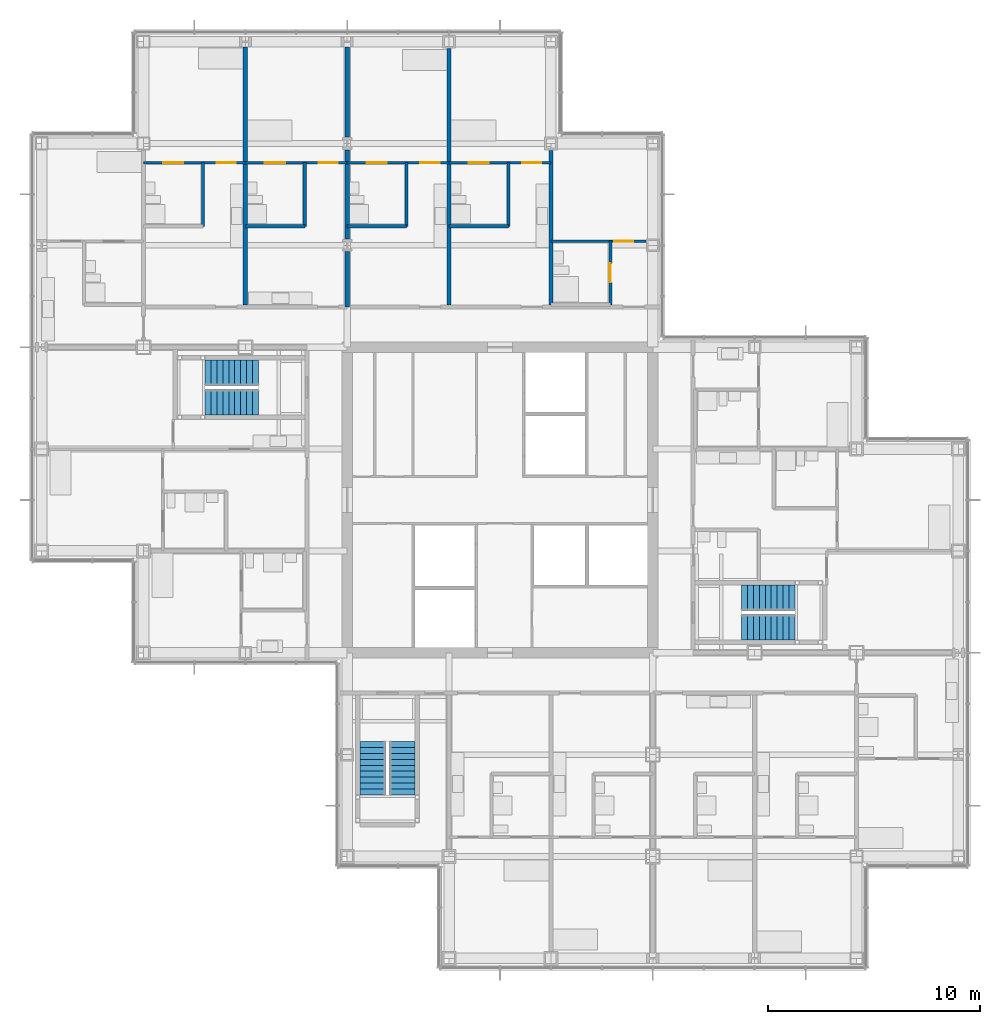
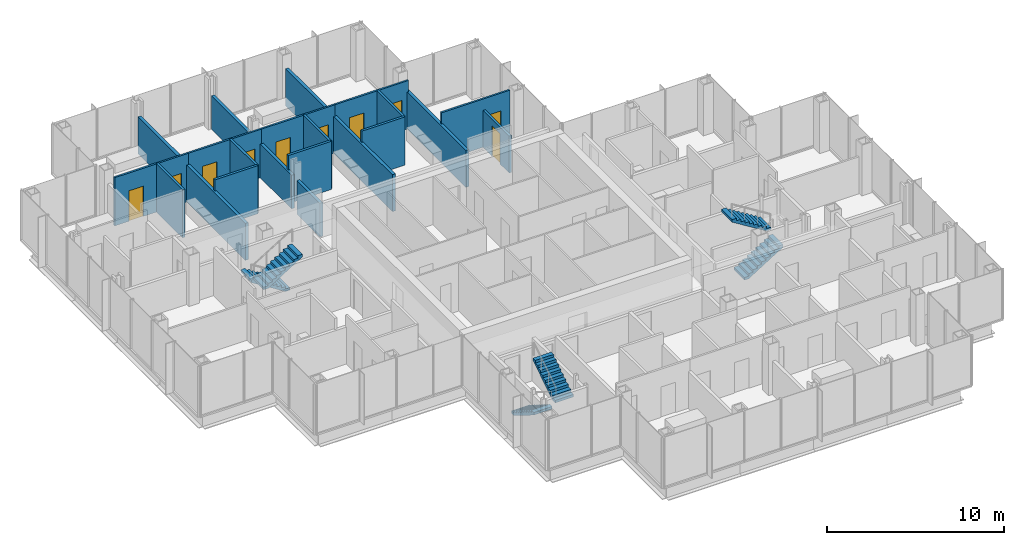
# One storey, part 17 of 20: 19 walls, 10 doors, 6 stair flights, 10 openings, 3 elements without a shape of their own.
"""IFC4 building model written with IfcOpenShell, lengths in metres."""

from ifc_helpers import new_model, si_unit, direction, frame, frame_2d, origin, place, context, subcontext, project, spatial, polyline, rectangle, outline, extrude, material, layer, layer_set, type_object, element, fill, aggregate, save


model = new_model("IFC4")

# Units and contexts
model_context = context("Model", 3, precision=1e-05, world=origin(), true_north=direction((0.0, 1.0)))
body_context = subcontext(model_context, "Body", "Model", "MODEL_VIEW")
ifc_project = project(units=[si_unit("LENGTHUNIT", "METRE"), si_unit("AREAUNIT", "SQUARE_METRE"), si_unit("VOLUMEUNIT", "CUBIC_METRE"), si_unit("PLANEANGLEUNIT", "RADIAN"), si_unit("MASSUNIT", "GRAM", prefix="KILO")], contexts=[model_context])

# Site, building, storey
site_placement = place(None, origin())
site = spatial("IfcSite", under=ifc_project, at=site_placement, CompositionType="ELEMENT")
building_placement = place(site_placement, origin())
building = spatial("IfcBuilding", under=site, at=building_placement, Name="Kvirike Care Tower", CompositionType="ELEMENT")
storey_placement = place(building_placement, frame((0.0, 0.0, 91.0)))
storey = spatial("IfcBuildingStorey", under=building, at=storey_placement, Name="L24", CompositionType="ELEMENT", Elevation=91.0)

# Walls
ifc_material_1 = material(Name="Moisture-resistant board partition", Category="gypsum")
ifc_layer_1 = layer(ifc_material_1, 0.14990234375)
ifc_layer_set_1 = layer_set([ifc_layer_1], Name="BATHROOM WALL 150")
wall_type_1 = type_object("IfcWallType", Name="BATHROOM WALL 150", PredefinedType="PARTITIONING", material=ifc_layer_set_1)
wall_1_placement = place(storey_placement, frame((12.39990234375, 51.89990234375, 0.0), z_axis=(0.0, 0.0, 1.0), x_axis=(0.0, -1.0, 0.0)))
element("IfcWall", 1, at=wall_1_placement, inside=storey, type_object=wall_type_1, Name="Bathroom Wall 150 L24", PredefinedType="PARTITIONING", context=body_context, shape_type="SweptSolid", body=[
    extrude(rectangle(XDim=3.0, YDim=0.14990234375, at=frame_2d((1.5, 0.0))), origin(), (0.0, 0.0, 1.0), 3.330078125),
])
wall_2_placement = place(storey_placement, frame((12.39990234375, 48.89990234375, 0.0), z_axis=(0.0, 0.0, 1.0), x_axis=(-1.0, 0.0, 0.0)))
element("IfcWall", 2, at=wall_2_placement, inside=storey, type_object=wall_type_1, Name="Bathroom Wall 150 L24", PredefinedType="PARTITIONING", context=body_context, shape_type="SweptSolid", body=[
    extrude(rectangle(XDim=2.7998046875, YDim=0.14990234375, at=frame_2d((1.39990234375, 0.0))), origin(), (0.0, 0.0, 1.0), 3.330078125),
])
wall_3_placement = place(storey_placement, frame((7.60009765625, 51.89990234375, 0.0), z_axis=(0.0, 0.0, 1.0), x_axis=(0.0, -1.0, 0.0)))
element("IfcWall", 3, at=wall_3_placement, inside=storey, type_object=wall_type_1, Name="Bathroom Wall 150 L24", PredefinedType="PARTITIONING", context=body_context, shape_type="SweptSolid", body=[
    extrude(rectangle(XDim=3.0, YDim=0.14990234375, at=frame_2d((1.5, 0.0))), origin(), (0.0, 0.0, 1.0), 3.330078125),
])

# Wall, opening, door
wall_4_placement = place(storey_placement, frame((26.800048828125, 48.199951171875, 0.0), z_axis=(0.0, 0.0, 1.0), x_axis=(0.0, -1.0, 0.0)))
wall_4 = element("IfcWall", 4, at=wall_4_placement, inside=storey, type_object=wall_type_1, Name="Bathroom Wall 150 L24", PredefinedType="PARTITIONING", context=body_context, shape_type="SweptSolid", body=[
    extrude(rectangle(XDim=3.0, YDim=0.14990234375, at=frame_2d((1.5, 0.0))), origin(), (0.0, 0.0, 1.0), 2.550048828125),
])
opening_1_placement = place(wall_4_placement, frame((1.050048828125, 0.0, 0.0)))
opening_1 = element("IfcOpeningElement", 5, at=opening_1_placement, cuts=wall_4, Name="Opening 24-027", PredefinedType="OPENING", context=body_context, shape_type="SweptSolid", body=[
    extrude(rectangle(XDim=0.89990234375, YDim=2.10009765625, at=frame_2d((0.449951171875, 1.050048828125))), frame((0.0, 0.08544921875, 0.0), z_axis=(0.0, -1.0, 0.0), x_axis=(1.0, 0.0, 0.0)), (0.0, 0.0, 1.0), 0.1708984375),
])
ifc_material_2 = material(Name="Timber door set", Category="wood")
door_type_1 = type_object("IfcDoorType", Name="BATHROOM DOOR 900", OperationType="SINGLE_SWING_RIGHT", PredefinedType="DOOR", material=ifc_material_2)
door_1_placement = place(opening_1_placement, origin())
door_1 = element("IfcDoor", 6, at=door_1_placement, inside=storey, type_object=door_type_1, Name="Assisted bathroom door", OperationType="SINGLE_SWING_RIGHT", OverallHeight=2.10009765625, OverallWidth=0.89990234375, PredefinedType="DOOR", context=body_context, shape_type="SweptSolid", body=[
    extrude(rectangle(XDim=0.89990234375, YDim=2.10009765625, at=frame_2d((0.449951171875, 1.050048828125))), frame((0.0, 0.02197265625, 0.0), z_axis=(0.0, -1.0, 0.0), x_axis=(1.0, 0.0, 0.0)), (0.0, 0.0, 1.0), 0.0439453125),
])
fill(opening_1, door_1)

# Walls
wall_5_placement = place(storey_placement, frame((22.0, 51.89990234375, 0.0), z_axis=(0.0, 0.0, 1.0), x_axis=(0.0, -1.0, 0.0)))
element("IfcWall", 7, at=wall_5_placement, inside=storey, type_object=wall_type_1, Name="Bathroom Wall 150 L24", PredefinedType="PARTITIONING", context=body_context, shape_type="SweptSolid", body=[
    extrude(rectangle(XDim=3.0, YDim=0.14990234375, at=frame_2d((1.5, 0.0))), origin(), (0.0, 0.0, 1.0), 3.330078125),
])
wall_6_placement = place(storey_placement, frame((22.0, 48.89990234375, 0.0), z_axis=(0.0, 0.0, 1.0), x_axis=(-1.0, 0.0, 0.0)))
element("IfcWall", 8, at=wall_6_placement, inside=storey, type_object=wall_type_1, Name="Bathroom Wall 150 L24", PredefinedType="PARTITIONING", context=body_context, shape_type="SweptSolid", body=[
    extrude(rectangle(XDim=2.800048828125, YDim=0.14990234375, at=frame_2d((1.39990234375, 0.0))), origin(), (0.0, 0.0, 1.0), 3.330078125),
])
wall_7_placement = place(storey_placement, frame((17.199951171875, 51.89990234375, 0.0), z_axis=(0.0, 0.0, 1.0), x_axis=(0.0, -1.0, 0.0)))
element("IfcWall", 9, at=wall_7_placement, inside=storey, type_object=wall_type_1, Name="Bathroom Wall 150 L24", PredefinedType="PARTITIONING", context=body_context, shape_type="SweptSolid", body=[
    extrude(rectangle(XDim=3.0, YDim=0.14990234375, at=frame_2d((1.5, 0.0))), origin(), (0.0, 0.0, 1.0), 3.330078125),
])
wall_8_placement = place(storey_placement, frame((17.199951171875, 48.89990234375, 0.0), z_axis=(0.0, 0.0, 1.0), x_axis=(-1.0, 0.0, 0.0)))
element("IfcWall", 10, at=wall_8_placement, inside=storey, type_object=wall_type_1, Name="Bathroom Wall 150 L24", PredefinedType="PARTITIONING", context=body_context, shape_type="SweptSolid", body=[
    extrude(rectangle(XDim=2.800048828125, YDim=0.14990234375, at=frame_2d((1.39990234375, 0.0))), origin(), (0.0, 0.0, 1.0), 3.330078125),
])

# Wall, openings, doors
ifc_material_3 = material(Name="Plasterboard partition", Category="gypsum")
ifc_layer_2 = layer(ifc_material_3, 0.1201171875)
ifc_layer_set_2 = layer_set([ifc_layer_2], Name="PARTITION 120")
wall_type_2 = type_object("IfcWallType", Name="PARTITION 120", PredefinedType="PARTITIONING", material=ifc_layer_set_2)
wall_9_placement = place(storey_placement, frame((14.39990234375, 51.89990234375, 0.0), z_axis=(0.0, 0.0, 1.0), x_axis=(-1.0, 0.0, 0.0)))
wall_9 = element("IfcWall", 11, at=wall_9_placement, inside=storey, type_object=wall_type_2, Name="Partition 120 L24", PredefinedType="PARTITIONING", context=body_context, shape_type="SweptSolid", body=[
    extrude(rectangle(XDim=4.7998046875, YDim=0.1201171875, at=frame_2d((2.39990234375, 0.0))), origin(), (0.0, 0.0, 1.0), 3.330078125),
])
opening_2_placement = place(wall_9_placement, frame((0.449951171875, 0.0, 0.0)))
opening_2 = element("IfcOpeningElement", 12, at=opening_2_placement, cuts=wall_9, Name="Opening 24-010", PredefinedType="OPENING", context=body_context, shape_type="SweptSolid", body=[
    extrude(rectangle(XDim=0.89990234375, YDim=2.10009765625, at=frame_2d((0.449951171875, 1.050048828125))), frame((0.0, 0.070556640625, 0.0), z_axis=(0.0, -1.0, 0.0), x_axis=(1.0, 0.0, 0.0)), (0.0, 0.0, 1.0), 0.14111328125),
])
opening_3_placement = place(wall_9_placement, frame((2.925048828125, 0.0, 0.0)))
opening_3 = element("IfcOpeningElement", 13, at=opening_3_placement, cuts=wall_9, Name="Opening 24-011", PredefinedType="OPENING", context=body_context, shape_type="SweptSolid", body=[
    extrude(rectangle(XDim=0.949951171875, YDim=2.10009765625, at=frame_2d((0.47509765625, 1.050048828125))), frame((0.0, 0.070556640625, 0.0), z_axis=(0.0, -1.0, 0.0), x_axis=(1.0, 0.0, 0.0)), (0.0, 0.0, 1.0), 0.14111328125),
])
ifc_material_4 = material(Name="Timber door set", Category="wood")
door_type_2 = type_object("IfcDoorType", Name="EN-SUITE SLIDING DOOR 950", OperationType="SLIDING_TO_LEFT", PredefinedType="DOOR", material=ifc_material_4)
door_2_placement = place(opening_3_placement, origin())
door_2 = element("IfcDoor", 14, at=door_2_placement, inside=storey, type_object=door_type_2, Name="En-suite door", OperationType="SLIDING_TO_RIGHT", OverallHeight=2.10009765625, OverallWidth=0.949951171875, PredefinedType="DOOR", context=body_context, shape_type="SweptSolid", body=[
    extrude(rectangle(XDim=0.949951171875, YDim=2.10009765625, at=frame_2d((0.47509765625, 1.050048828125))), frame((0.0, 0.02197265625, 0.0), z_axis=(0.0, -1.0, 0.0), x_axis=(1.0, 0.0, 0.0)), (0.0, 0.0, 1.0), 0.0439453125),
])
fill(opening_3, door_2)
ifc_material_5 = material(Name="Timber door set", Category="wood")
door_type_3 = type_object("IfcDoorType", Name="INTERNAL DOOR 900", OperationType="SINGLE_SWING_LEFT", PredefinedType="DOOR", material=ifc_material_5)
door_3_placement = place(opening_2_placement, origin())
door_3 = element("IfcDoor", 15, at=door_3_placement, inside=storey, type_object=door_type_3, Name="Assisted living suite door", OperationType="SINGLE_SWING_RIGHT", OverallHeight=2.10009765625, OverallWidth=0.89990234375, PredefinedType="DOOR", context=body_context, shape_type="SweptSolid", body=[
    extrude(rectangle(XDim=0.89990234375, YDim=2.10009765625, at=frame_2d((0.449951171875, 1.050048828125))), frame((0.0, 0.02197265625, 0.0), z_axis=(0.0, -1.0, 0.0), x_axis=(1.0, 0.0, 0.0)), (0.0, 0.0, 1.0), 0.0439453125),
])
fill(opening_2, door_3)

wall_10_placement = place(storey_placement, frame((9.60009765625, 51.89990234375, 0.0), z_axis=(0.0, 0.0, 1.0), x_axis=(-1.0, 0.0, 0.0)))
wall_10 = element("IfcWall", 16, at=wall_10_placement, inside=storey, type_object=wall_type_2, Name="Partition 120 L24", PredefinedType="PARTITIONING", context=body_context, shape_type="SweptSolid", body=[
    extrude(rectangle(XDim=4.800048828125, YDim=0.1201171875, at=frame_2d((2.39990234375, 0.0))), origin(), (0.0, 0.0, 1.0), 3.330078125),
])
opening_4_placement = place(wall_10_placement, frame((0.449951171875, 0.0, 0.0)))
opening_4 = element("IfcOpeningElement", 17, at=opening_4_placement, cuts=wall_10, Name="Opening 24-012", PredefinedType="OPENING", context=body_context, shape_type="SweptSolid", body=[
    extrude(rectangle(XDim=0.89990234375, YDim=2.10009765625, at=frame_2d((0.449951171875, 1.050048828125))), frame((0.0, 0.070556640625, 0.0), z_axis=(0.0, -1.0, 0.0), x_axis=(1.0, 0.0, 0.0)), (0.0, 0.0, 1.0), 0.14111328125),
])
opening_5_placement = place(wall_10_placement, frame((2.925048828125, 0.0, 0.0)))
opening_5 = element("IfcOpeningElement", 18, at=opening_5_placement, cuts=wall_10, Name="Opening 24-013", PredefinedType="OPENING", context=body_context, shape_type="SweptSolid", body=[
    extrude(rectangle(XDim=0.949951171875, YDim=2.10009765625, at=frame_2d((0.47509765625, 1.050048828125))), frame((0.0, 0.070556640625, 0.0), z_axis=(0.0, -1.0, 0.0), x_axis=(1.0, 0.0, 0.0)), (0.0, 0.0, 1.0), 0.14111328125),
])
door_4_placement = place(opening_5_placement, origin())
door_4 = element("IfcDoor", 19, at=door_4_placement, inside=storey, type_object=door_type_2, Name="En-suite door", OperationType="SLIDING_TO_LEFT", OverallHeight=2.10009765625, OverallWidth=0.949951171875, PredefinedType="DOOR", context=body_context, shape_type="SweptSolid", body=[
    extrude(rectangle(XDim=0.949951171875, YDim=2.10009765625, at=frame_2d((0.47509765625, 1.050048828125))), frame((0.0, 0.02197265625, 0.0), z_axis=(0.0, -1.0, 0.0), x_axis=(1.0, 0.0, 0.0)), (0.0, 0.0, 1.0), 0.0439453125),
])
fill(opening_5, door_4)
door_5_placement = place(opening_4_placement, origin())
door_5 = element("IfcDoor", 20, at=door_5_placement, inside=storey, type_object=door_type_3, Name="Assisted living suite door", OperationType="SINGLE_SWING_RIGHT", OverallHeight=2.10009765625, OverallWidth=0.89990234375, PredefinedType="DOOR", context=body_context, shape_type="SweptSolid", body=[
    extrude(rectangle(XDim=0.89990234375, YDim=2.10009765625, at=frame_2d((0.449951171875, 1.050048828125))), frame((0.0, 0.02197265625, 0.0), z_axis=(0.0, -1.0, 0.0), x_axis=(1.0, 0.0, 0.0)), (0.0, 0.0, 1.0), 0.0439453125),
])
fill(opening_4, door_5)

# Wall, opening, door
wall_11_placement = place(storey_placement, frame((28.47998046875, 48.199951171875, 0.0), z_axis=(0.0, 0.0, 1.0), x_axis=(-1.0, 0.0, 0.0)))
wall_11 = element("IfcWall", 21, at=wall_11_placement, inside=storey, type_object=wall_type_2, Name="Partition 120 L24", PredefinedType="PARTITIONING", context=body_context, shape_type="SweptSolid", body=[
    extrude(rectangle(XDim=4.47998046875, YDim=0.1201171875, at=frame_2d((2.239990234375, 0.0))), origin(), (0.0, 0.0, 1.0), 3.330078125),
])
opening_6_placement = place(wall_11_placement, frame((0.60498046875, 0.0, 0.0)))
opening_6 = element("IfcOpeningElement", 22, at=opening_6_placement, cuts=wall_11, Name="Opening 24-028", PredefinedType="OPENING", context=body_context, shape_type="SweptSolid", body=[
    extrude(rectangle(XDim=0.89990234375, YDim=2.10009765625, at=frame_2d((0.449951171875, 1.050048828125))), frame((0.0, 0.070556640625, 0.0), z_axis=(0.0, -1.0, 0.0), x_axis=(1.0, 0.0, 0.0)), (0.0, 0.0, 1.0), 0.14111328125),
])
door_6_placement = place(opening_6_placement, origin())
door_6 = element("IfcDoor", 23, at=door_6_placement, inside=storey, type_object=door_type_3, Name="Care lounge door", OperationType="SINGLE_SWING_LEFT", OverallHeight=2.10009765625, OverallWidth=0.89990234375, PredefinedType="DOOR", context=body_context, shape_type="SweptSolid", body=[
    extrude(rectangle(XDim=0.89990234375, YDim=2.10009765625, at=frame_2d((0.449951171875, 1.050048828125))), frame((0.0, 0.02197265625, 0.0), z_axis=(0.0, -1.0, 0.0), x_axis=(1.0, 0.0, 0.0)), (0.0, 0.0, 1.0), 0.0439453125),
])
fill(opening_6, door_6)

# Wall, openings, doors
wall_12_placement = place(storey_placement, frame((24.0, 51.89990234375, 0.0), z_axis=(0.0, 0.0, 1.0), x_axis=(-1.0, 0.0, 0.0)))
wall_12 = element("IfcWall", 24, at=wall_12_placement, inside=storey, type_object=wall_type_2, Name="Partition 120 L24", PredefinedType="PARTITIONING", context=body_context, shape_type="SweptSolid", body=[
    extrude(rectangle(XDim=4.800048828125, YDim=0.1201171875, at=frame_2d((2.39990234375, 0.0))), origin(), (0.0, 0.0, 1.0), 3.330078125),
])
opening_7_placement = place(wall_12_placement, frame((0.449951171875, 0.0, 0.0)))
opening_7 = element("IfcOpeningElement", 25, at=opening_7_placement, cuts=wall_12, Name="Opening 24-029", PredefinedType="OPENING", context=body_context, shape_type="SweptSolid", body=[
    extrude(rectangle(XDim=0.89990234375, YDim=2.10009765625, at=frame_2d((0.449951171875, 1.050048828125))), frame((0.0, 0.070556640625, 0.0), z_axis=(0.0, -1.0, 0.0), x_axis=(1.0, 0.0, 0.0)), (0.0, 0.0, 1.0), 0.14111328125),
])
opening_8_placement = place(wall_12_placement, frame((2.925048828125, 0.0, 0.0)))
opening_8 = element("IfcOpeningElement", 26, at=opening_8_placement, cuts=wall_12, Name="Opening 24-030", PredefinedType="OPENING", context=body_context, shape_type="SweptSolid", body=[
    extrude(rectangle(XDim=0.949951171875, YDim=2.10009765625, at=frame_2d((0.47509765625, 1.050048828125))), frame((0.0, 0.070556640625, 0.0), z_axis=(0.0, -1.0, 0.0), x_axis=(1.0, 0.0, 0.0)), (0.0, 0.0, 1.0), 0.14111328125),
])
door_7_placement = place(opening_8_placement, origin())
door_7 = element("IfcDoor", 27, at=door_7_placement, inside=storey, type_object=door_type_2, Name="En-suite door", OperationType="SLIDING_TO_RIGHT", OverallHeight=2.10009765625, OverallWidth=0.949951171875, PredefinedType="DOOR", context=body_context, shape_type="SweptSolid", body=[
    extrude(rectangle(XDim=0.949951171875, YDim=2.10009765625, at=frame_2d((0.47509765625, 1.050048828125))), frame((0.0, 0.02197265625, 0.0), z_axis=(0.0, -1.0, 0.0), x_axis=(1.0, 0.0, 0.0)), (0.0, 0.0, 1.0), 0.0439453125),
])
fill(opening_8, door_7)
door_8_placement = place(opening_7_placement, origin())
door_8 = element("IfcDoor", 28, at=door_8_placement, inside=storey, type_object=door_type_3, Name="Assisted living suite door", OperationType="SINGLE_SWING_RIGHT", OverallHeight=2.10009765625, OverallWidth=0.89990234375, PredefinedType="DOOR", context=body_context, shape_type="SweptSolid", body=[
    extrude(rectangle(XDim=0.89990234375, YDim=2.10009765625, at=frame_2d((0.449951171875, 1.050048828125))), frame((0.0, 0.02197265625, 0.0), z_axis=(0.0, -1.0, 0.0), x_axis=(1.0, 0.0, 0.0)), (0.0, 0.0, 1.0), 0.0439453125),
])
fill(opening_7, door_8)

wall_13_placement = place(storey_placement, frame((19.199951171875, 51.89990234375, 0.0), z_axis=(0.0, 0.0, 1.0), x_axis=(-1.0, 0.0, 0.0)))
wall_13 = element("IfcWall", 29, at=wall_13_placement, inside=storey, type_object=wall_type_2, Name="Partition 120 L24", PredefinedType="PARTITIONING", context=body_context, shape_type="SweptSolid", body=[
    extrude(rectangle(XDim=4.800048828125, YDim=0.1201171875, at=frame_2d((2.39990234375, 0.0))), origin(), (0.0, 0.0, 1.0), 3.330078125),
])
opening_9_placement = place(wall_13_placement, frame((0.449951171875, 0.0, 0.0)))
opening_9 = element("IfcOpeningElement", 30, at=opening_9_placement, cuts=wall_13, Name="Opening 24-031", PredefinedType="OPENING", context=body_context, shape_type="SweptSolid", body=[
    extrude(rectangle(XDim=0.89990234375, YDim=2.10009765625, at=frame_2d((0.449951171875, 1.050048828125))), frame((0.0, 0.070556640625, 0.0), z_axis=(0.0, -1.0, 0.0), x_axis=(1.0, 0.0, 0.0)), (0.0, 0.0, 1.0), 0.14111328125),
])
opening_10_placement = place(wall_13_placement, frame((2.925048828125, 0.0, 0.0)))
opening_10 = element("IfcOpeningElement", 31, at=opening_10_placement, cuts=wall_13, Name="Opening 24-032", PredefinedType="OPENING", context=body_context, shape_type="SweptSolid", body=[
    extrude(rectangle(XDim=0.949951171875, YDim=2.10009765625, at=frame_2d((0.47509765625, 1.050048828125))), frame((0.0, 0.070556640625, 0.0), z_axis=(0.0, -1.0, 0.0), x_axis=(1.0, 0.0, 0.0)), (0.0, 0.0, 1.0), 0.14111328125),
])
door_9_placement = place(opening_10_placement, origin())
door_9 = element("IfcDoor", 32, at=door_9_placement, inside=storey, type_object=door_type_2, Name="En-suite door", OperationType="SLIDING_TO_RIGHT", OverallHeight=2.10009765625, OverallWidth=0.949951171875, PredefinedType="DOOR", context=body_context, shape_type="SweptSolid", body=[
    extrude(rectangle(XDim=0.949951171875, YDim=2.10009765625, at=frame_2d((0.47509765625, 1.050048828125))), frame((0.0, 0.02197265625, 0.0), z_axis=(0.0, -1.0, 0.0), x_axis=(1.0, 0.0, 0.0)), (0.0, 0.0, 1.0), 0.0439453125),
])
fill(opening_10, door_9)
door_10_placement = place(opening_9_placement, origin())
door_10 = element("IfcDoor", 33, at=door_10_placement, inside=storey, type_object=door_type_3, Name="Assisted living suite door", OperationType="SINGLE_SWING_RIGHT", OverallHeight=2.10009765625, OverallWidth=0.89990234375, PredefinedType="DOOR", context=body_context, shape_type="SweptSolid", body=[
    extrude(rectangle(XDim=0.89990234375, YDim=2.10009765625, at=frame_2d((0.449951171875, 1.050048828125))), frame((0.0, 0.02197265625, 0.0), z_axis=(0.0, -1.0, 0.0), x_axis=(1.0, 0.0, 0.0)), (0.0, 0.0, 1.0), 0.0439453125),
])
fill(opening_9, door_10)

# Walls
ifc_material_6 = material(Name="Plasterboard party wall", Category="gypsum")
ifc_layer_3 = layer(ifc_material_6, 0.199951171875)
ifc_layer_set_3 = layer_set([ifc_layer_3], Name="PARTY WALL 200")
wall_type_3 = type_object("IfcWallType", Name="PARTY WALL 200", PredefinedType="PARTITIONING", material=ifc_layer_set_3)
wall_14_placement = place(storey_placement, frame((9.60009765625, 57.35302734375, 0.0), z_axis=(0.0, 0.0, 1.0), x_axis=(0.0, -1.0, 0.0)))
element("IfcWall", 34, at=wall_14_placement, inside=storey, type_object=wall_type_3, Name="Party Wall 200 L24", PredefinedType="PARTITIONING", context=body_context, shape_type="SweptSolid", body=[
    extrude(rectangle(XDim=12.153076171875, YDim=0.199951171875, at=frame_2d((6.07666015625, 0.0))), origin(), (0.0, 0.0, 1.0), 2.550048828125),
])
wall_15_placement = place(storey_placement, frame((24.0, 52.47998046875, 0.0), z_axis=(0.0, 0.0, 1.0), x_axis=(0.0, -1.0, 0.0)))
element("IfcWall", 35, at=wall_15_placement, inside=storey, type_object=wall_type_3, Name="Party Wall 200 L24", PredefinedType="PARTITIONING", context=body_context, shape_type="SweptSolid", body=[
    extrude(rectangle(XDim=7.280029296875, YDim=0.199951171875, at=frame_2d((3.64013671875, 0.0))), origin(), (0.0, 0.0, 1.0), 2.550048828125),
])
wall_16_placement = place(storey_placement, frame((19.199951171875, 57.280029296875, 0.0), z_axis=(0.0, 0.0, 1.0), x_axis=(0.0, -1.0, 0.0)))
element("IfcWall", 36, at=wall_16_placement, inside=storey, type_object=wall_type_3, Name="Party Wall 200 L24", PredefinedType="PARTITIONING", context=body_context, shape_type="SweptSolid", body=[
    extrude(rectangle(XDim=12.080078125, YDim=0.199951171875, at=frame_2d((6.0400390625, 0.0))), origin(), (0.0, 0.0, 1.0), 2.550048828125),
])
wall_17_placement = place(storey_placement, frame((14.39990234375, 45.10009765625, 0.0), z_axis=(0.0, 0.0, 1.0), x_axis=(0.0, 1.0, 0.0)))
element("IfcWall", 37, at=wall_17_placement, inside=storey, type_object=wall_type_3, Name="Party Wall 200 L24", PredefinedType="PARTITIONING", context=body_context, shape_type="SweptSolid", body=[
    extrude(rectangle(XDim=2.60498046875, YDim=0.199951171875, at=frame_2d((1.302490234375, 0.0))), origin(), (0.0, 0.0, 1.0), 2.320068359375),
])
wall_18_placement = place(storey_placement, frame((14.39990234375, 48.294921875, 0.0), z_axis=(0.0, 0.0, 1.0), x_axis=(0.0, 1.0, 0.0)))
element("IfcWall", 38, at=wall_18_placement, inside=storey, type_object=wall_type_3, Name="Party Wall 200 L24", PredefinedType="PARTITIONING", context=body_context, shape_type="SweptSolid", body=[
    extrude(rectangle(XDim=4.2099609375, YDim=0.199951171875, at=frame_2d((2.10498046875, 0.0))), origin(), (0.0, 0.0, 1.0), 2.320068359375),
])
wall_19_placement = place(storey_placement, frame((14.39990234375, 53.094970703125, 0.0), z_axis=(0.0, 0.0, 1.0), x_axis=(0.0, 1.0, 0.0)))
element("IfcWall", 39, at=wall_19_placement, inside=storey, type_object=wall_type_3, Name="Party Wall 200 L24", PredefinedType="PARTITIONING", context=body_context, shape_type="SweptSolid", body=[
    extrude(rectangle(XDim=4.258056640625, YDim=0.199951171875, at=frame_2d((2.12890625, 0.0))), origin(), (0.0, 0.0, 1.0), 2.320068359375),
])

# Stair, stair flights
ifc_material_7 = material(Name="Concrete C35/45", Category="concrete")
stair_type = type_object("IfcStairType", Name="STAIR 20 RISERS", PredefinedType="HALF_TURN_STAIR", material=ifc_material_7)
stair_1_placement = place(storey_placement, origin())
stair_1 = element("IfcStair", 40, at=stair_1_placement, inside=storey, type_object=stair_type, Name="Stair 1 L24", PredefinedType="HALF_TURN_STAIR")
ifc_material_8 = material(Name="Concrete C35/45", Category="concrete")
stair_flight_type = type_object("IfcStairFlightType", Name="FLIGHT 10 RISERS", PredefinedType="STRAIGHT", material=ifc_material_8)
stair_flight_1_placement = place(storey_placement, frame((10.219970703125, 42.0, 0.0), z_axis=(0.0, 0.0, 1.0), x_axis=(-1.0, 0.0, 0.0)))
stair_flight_1 = element("IfcStairFlight", 41, at=stair_flight_1_placement, type_object=stair_flight_type, Name="Stair S1 flight 1 L24-L25", NumberOfRisers=10, NumberOfTreads=9, PredefinedType="STRAIGHT", RiserHeight=0.175, TreadLength=0.28, context=body_context, shape_type="SweptSolid", body=[
    extrude(outline(polyline([(0.0, 0.0), (0.0, 0.175048828125), (0.280029296875, 0.175048828125), (0.280029296875, 0.35009765625), (0.56005859375, 0.35009765625), (0.56005859375, 0.52490234375), (0.840087890625, 0.52490234375), (0.840087890625, 0.699951171875), (1.1201171875, 0.699951171875), (1.1201171875, 0.875), (1.39990234375, 0.875), (1.39990234375, 1.050048828125), (1.679931640625, 1.050048828125), (1.679931640625, 1.22509765625), (1.9599609375, 1.22509765625), (1.9599609375, 1.39990234375), (2.239990234375, 1.39990234375), (2.239990234375, 1.574951171875), (2.52001953125, 1.574951171875), (2.52001953125, 1.75), (2.52001953125, 1.398193359375), (0.28271484375, 0.0), (0.0, 0.0)])), frame((0.0, 0.60009765625, 0.0), z_axis=(0.0, -1.0, 0.0), x_axis=(1.0, 0.0, 0.0)), (0.0, 0.0, 1.0), 1.199951171875),
])
stair_flight_2_placement = place(storey_placement, frame((7.699951171875, 40.60009765625, 1.75), z_axis=(0.0, 0.0, 1.0), x_axis=(1.0, 0.0, 0.0)))
stair_flight_2 = element("IfcStairFlight", 42, at=stair_flight_2_placement, type_object=stair_flight_type, Name="Stair S1 flight 2 L24-L25", NumberOfRisers=10, NumberOfTreads=9, PredefinedType="STRAIGHT", RiserHeight=0.175, TreadLength=0.28, context=body_context, shape_type="SweptSolid", body=[
    extrude(outline(polyline([(0.0, 0.0), (0.0, 0.175048828125), (0.280029296875, 0.175048828125), (0.280029296875, 0.35009765625), (0.56005859375, 0.35009765625), (0.56005859375, 0.52490234375), (0.840087890625, 0.52490234375), (0.840087890625, 0.699951171875), (1.1201171875, 0.699951171875), (1.1201171875, 0.875), (1.39990234375, 0.875), (1.39990234375, 1.050048828125), (1.679931640625, 1.050048828125), (1.679931640625, 1.22509765625), (1.9599609375, 1.22509765625), (1.9599609375, 1.39990234375), (2.239990234375, 1.39990234375), (2.239990234375, 1.574951171875), (2.52001953125, 1.574951171875), (2.52001953125, 1.75), (2.52001953125, 1.398193359375), (0.28271484375, 0.0), (0.0, 0.0)])), frame((0.0, 0.60009765625, 0.0), z_axis=(0.0, -1.0, 0.0), x_axis=(1.0, 0.0, 0.0)), (0.0, 0.0, 1.0), 1.199951171875),
])
aggregate(stair_1, [stair_flight_1, stair_flight_2])

stair_2_placement = place(storey_placement, origin())
stair_2 = element("IfcStair", 43, at=stair_2_placement, inside=storey, type_object=stair_type, Name="Stair 2 L24", PredefinedType="HALF_TURN_STAIR")
stair_flight_3_placement = place(storey_placement, frame((32.97998046875, 30.0, 0.0), z_axis=(0.0, 0.0, 1.0), x_axis=(1.0, 0.0, 0.0)))
stair_flight_3 = element("IfcStairFlight", 44, at=stair_flight_3_placement, type_object=stair_flight_type, Name="Stair S2 flight 1 L24-L25", NumberOfRisers=10, NumberOfTreads=9, PredefinedType="STRAIGHT", RiserHeight=0.175, TreadLength=0.28, context=body_context, shape_type="SweptSolid", body=[
    extrude(outline(polyline([(0.0, 0.0), (0.0, 0.175048828125), (0.280029296875, 0.175048828125), (0.280029296875, 0.35009765625), (0.56005859375, 0.35009765625), (0.56005859375, 0.52490234375), (0.840087890625, 0.52490234375), (0.840087890625, 0.699951171875), (1.1201171875, 0.699951171875), (1.1201171875, 0.875), (1.39990234375, 0.875), (1.39990234375, 1.050048828125), (1.679931640625, 1.050048828125), (1.679931640625, 1.22509765625), (1.9599609375, 1.22509765625), (1.9599609375, 1.39990234375), (2.239990234375, 1.39990234375), (2.239990234375, 1.574951171875), (2.52001953125, 1.574951171875), (2.52001953125, 1.75), (2.52001953125, 1.398193359375), (0.28271484375, 0.0), (0.0, 0.0)])), frame((0.0, 0.60009765625, 0.0), z_axis=(0.0, -1.0, 0.0), x_axis=(1.0, 0.0, 0.0)), (0.0, 0.0, 1.0), 1.199951171875),
])
stair_flight_4_placement = place(storey_placement, frame((35.5, 31.39990234375, 1.75), z_axis=(0.0, 0.0, 1.0), x_axis=(-1.0, 0.0, 0.0)))
stair_flight_4 = element("IfcStairFlight", 45, at=stair_flight_4_placement, type_object=stair_flight_type, Name="Stair S2 flight 2 L24-L25", NumberOfRisers=10, NumberOfTreads=9, PredefinedType="STRAIGHT", RiserHeight=0.175, TreadLength=0.28, context=body_context, shape_type="SweptSolid", body=[
    extrude(outline(polyline([(0.0, 0.0), (0.0, 0.175048828125), (0.280029296875, 0.175048828125), (0.280029296875, 0.35009765625), (0.56005859375, 0.35009765625), (0.56005859375, 0.52490234375), (0.840087890625, 0.52490234375), (0.840087890625, 0.699951171875), (1.1201171875, 0.699951171875), (1.1201171875, 0.875), (1.39990234375, 0.875), (1.39990234375, 1.050048828125), (1.679931640625, 1.050048828125), (1.679931640625, 1.22509765625), (1.9599609375, 1.22509765625), (1.9599609375, 1.39990234375), (2.239990234375, 1.39990234375), (2.239990234375, 1.574951171875), (2.52001953125, 1.574951171875), (2.52001953125, 1.75), (2.52001953125, 1.398193359375), (0.28271484375, 0.0), (0.0, 0.0)])), frame((0.0, 0.60009765625, 0.0), z_axis=(0.0, -1.0, 0.0), x_axis=(1.0, 0.0, 0.0)), (0.0, 0.0, 1.0), 1.199951171875),
])
aggregate(stair_2, [stair_flight_3, stair_flight_4])

stair_3_placement = place(storey_placement, origin())
stair_3 = element("IfcStair", 46, at=stair_3_placement, inside=storey, type_object=stair_type, Name="Stair 5 L24", PredefinedType="HALF_TURN_STAIR")
stair_flight_5_placement = place(storey_placement, frame((15.60009765625, 24.6201171875, 0.0), z_axis=(0.0, 0.0, 1.0), x_axis=(0.0, -1.0, 0.0)))
stair_flight_5 = element("IfcStairFlight", 47, at=stair_flight_5_placement, type_object=stair_flight_type, Name="Stair S5 flight 1 L24-L25", NumberOfRisers=10, NumberOfTreads=9, PredefinedType="STRAIGHT", RiserHeight=0.175, TreadLength=0.28, context=body_context, shape_type="SweptSolid", body=[
    extrude(outline(polyline([(0.0, 0.0), (0.0, 0.175048828125), (0.280029296875, 0.175048828125), (0.280029296875, 0.35009765625), (0.56005859375, 0.35009765625), (0.56005859375, 0.52490234375), (0.840087890625, 0.52490234375), (0.840087890625, 0.699951171875), (1.1201171875, 0.699951171875), (1.1201171875, 0.875), (1.39990234375, 0.875), (1.39990234375, 1.050048828125), (1.679931640625, 1.050048828125), (1.679931640625, 1.22509765625), (1.9599609375, 1.22509765625), (1.9599609375, 1.39990234375), (2.239990234375, 1.39990234375), (2.239990234375, 1.574951171875), (2.52001953125, 1.574951171875), (2.52001953125, 1.75), (2.52001953125, 1.398193359375), (0.28271484375, 0.0), (0.0, 0.0)])), frame((0.0, 0.60009765625, 0.0), z_axis=(0.0, -1.0, 0.0), x_axis=(1.0, 0.0, 0.0)), (0.0, 0.0, 1.0), 1.199951171875),
])
stair_flight_6_placement = place(storey_placement, frame((17.0, 22.10009765625, 1.75), z_axis=(0.0, 0.0, 1.0), x_axis=(0.0, 1.0, 0.0)))
stair_flight_6 = element("IfcStairFlight", 48, at=stair_flight_6_placement, type_object=stair_flight_type, Name="Stair S5 flight 2 L24-L25", NumberOfRisers=10, NumberOfTreads=9, PredefinedType="STRAIGHT", RiserHeight=0.175, TreadLength=0.28, context=body_context, shape_type="SweptSolid", body=[
    extrude(outline(polyline([(0.0, 0.0), (0.0, 0.175048828125), (0.280029296875, 0.175048828125), (0.280029296875, 0.35009765625), (0.56005859375, 0.35009765625), (0.56005859375, 0.52490234375), (0.840087890625, 0.52490234375), (0.840087890625, 0.699951171875), (1.1201171875, 0.699951171875), (1.1201171875, 0.875), (1.39990234375, 0.875), (1.39990234375, 1.050048828125), (1.679931640625, 1.050048828125), (1.679931640625, 1.22509765625), (1.9599609375, 1.22509765625), (1.9599609375, 1.39990234375), (2.239990234375, 1.39990234375), (2.239990234375, 1.574951171875), (2.52001953125, 1.574951171875), (2.52001953125, 1.75), (2.52001953125, 1.398193359375), (0.28271484375, 0.0), (0.0, 0.0)])), frame((0.0, 0.60009765625, 0.0), z_axis=(0.0, -1.0, 0.0), x_axis=(1.0, 0.0, 0.0)), (0.0, 0.0, 1.0), 1.199951171875),
])
aggregate(stair_3, [stair_flight_5, stair_flight_6])

save(model, "model.ifc")
